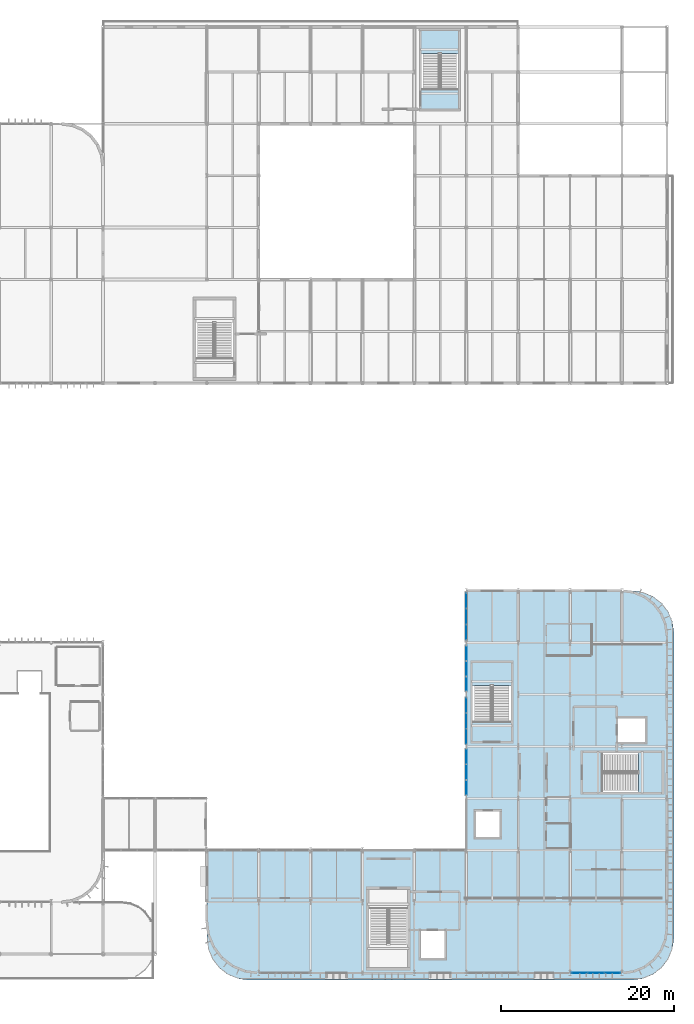
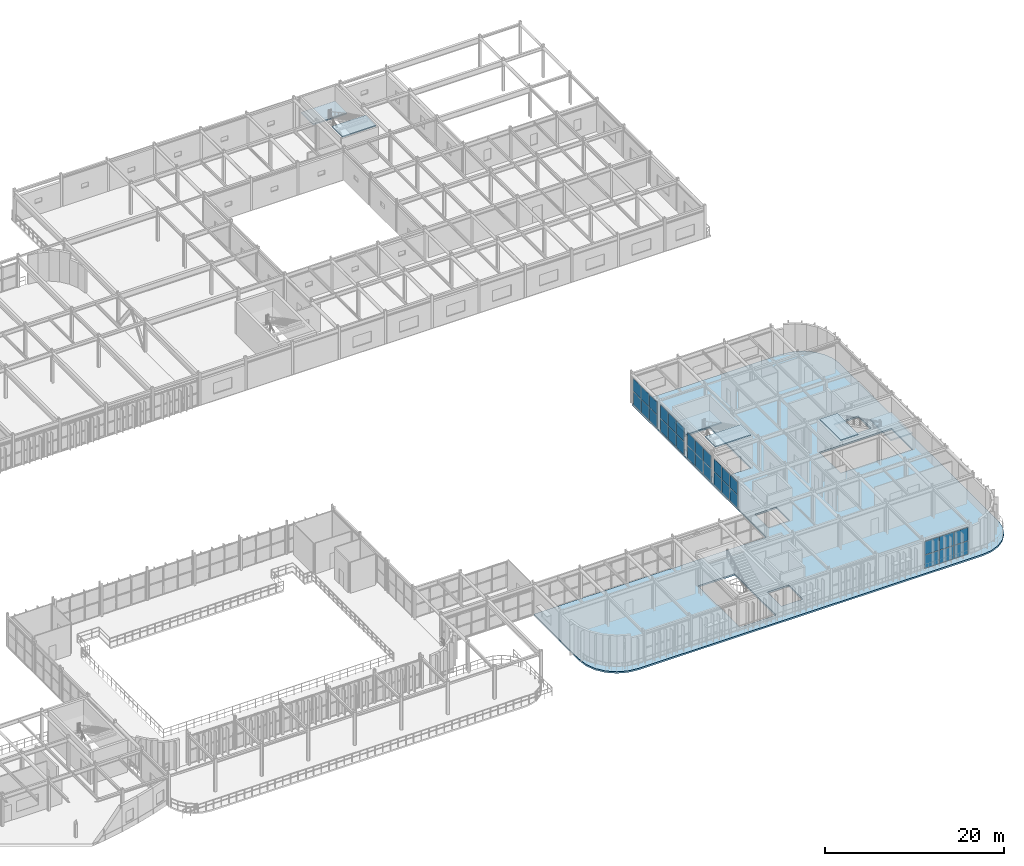
# One storey, part 61 of 96: 30 plates, 7 slabs, 8 elements without a shape of their own.
"""IFC4 building model written with IfcOpenShell, lengths in metres."""

from ifc_helpers import new_model, si_unit, direction, frame, origin, origin_2d, place, context, subcontext, project, spatial, polyline, rectangle, outline, extrude, material, layer, layer_set, type_object, element, aggregate, save


model = new_model("IFC4")

# Units and contexts
model_context = context("Model", 3, precision=1e-05, world=origin(), true_north=direction((0.0, 1.0)))
body_context = subcontext(model_context, "Body", "Model", "MODEL_VIEW")
ifc_project = project(units=[si_unit("LENGTHUNIT", "METRE"), si_unit("AREAUNIT", "SQUARE_METRE"), si_unit("VOLUMEUNIT", "CUBIC_METRE"), si_unit("PLANEANGLEUNIT", "RADIAN"), si_unit("MASSUNIT", "GRAM", prefix="KILO")], contexts=[model_context])

# Site, building, storey
site_placement = place(None, origin())
site = spatial("IfcSite", under=ifc_project, at=site_placement, CompositionType="ELEMENT")
building_placement = place(site_placement, origin())
building = spatial("IfcBuilding", under=site, at=building_placement, Name="Varnakota Square Police Headquarters", CompositionType="ELEMENT")
storey_placement = place(building_placement, frame((0.0, 0.0, 4.800048828125)))
storey = spatial("IfcBuildingStorey", under=building, at=storey_placement, Name="L01", CompositionType="ELEMENT", Elevation=4.800048828125)

# Curtain wall, plates
ifc_material_1 = material(Name="Anodised Aluminium Framing", Category="aluminium")
curtain_wall_type_1 = type_object("IfcCurtainWallType", Name="CW-SYS-E", PredefinedType="NOTDEFINED", material=ifc_material_1)
curtain_wall_1_placement = place(storey_placement, origin())
curtain_wall_1 = element("IfcCurtainWall", 1, at=curtain_wall_1_placement, inside=storey, type_object=curtain_wall_type_1, Name="Unitised curtain wall CWG-L01-063", PredefinedType="NOTDEFINED")
ifc_material_2 = material(Name="Solar-Control Laminated Double Glazing", Category="glass")
ifc_layer_1 = layer(ifc_material_2, 0.028076171875, Name="Solar-Control Laminated Double Glazing")
ifc_layer_set_1 = layer_set([ifc_layer_1], Name="Solar-Control Laminated Double Glazing")
plate_type_1 = type_object("IfcPlateType", Name="CWP-GLZ-28", PredefinedType="CURTAIN_PANEL", material=ifc_layer_set_1)
plate_1_placement = place(storey_placement, frame((138.0, 28.156982421875, 0.06494140625), z_axis=(0.0, 0.0, 1.0), x_axis=(0.0, 1.0, 0.0)))
plate_1 = element("IfcPlate", 2, at=plate_1_placement, type_object=plate_type_1, Name="CWG-L01-063 panel 1.1", PredefinedType="CURTAIN_PANEL", context=body_context, shape_type="SweptSolid", body=[
    extrude(rectangle(XDim=1.72412109375, YDim=0.028076171875, at=origin_2d()), origin(), (0.0, 0.0, 1.0), 1.74755859375),
])
plate_2_placement = place(storey_placement, frame((138.0, 29.96240234375, 0.06494140625), z_axis=(0.0, 0.0, 1.0), x_axis=(0.0, 1.0, 0.0)))
plate_2 = element("IfcPlate", 3, at=plate_2_placement, type_object=plate_type_1, Name="CWG-L01-063 panel 2.1", PredefinedType="CURTAIN_PANEL", context=body_context, shape_type="SweptSolid", body=[
    extrude(rectangle(XDim=1.756591796875, YDim=0.028076171875, at=origin_2d()), origin(), (0.0, 0.0, 1.0), 1.74755859375),
])
plate_3_placement = place(storey_placement, frame((138.0, 31.767822265625, 0.06494140625), z_axis=(0.0, 0.0, 1.0), x_axis=(0.0, 1.0, 0.0)))
plate_3 = element("IfcPlate", 4, at=plate_3_placement, type_object=plate_type_1, Name="CWG-L01-063 panel 3.1", PredefinedType="CURTAIN_PANEL", context=body_context, shape_type="SweptSolid", body=[
    extrude(rectangle(XDim=1.72412109375, YDim=0.028076171875, at=origin_2d()), origin(), (0.0, 0.0, 1.0), 1.74755859375),
])

curtain_wall_2_placement = place(storey_placement, origin())
curtain_wall_2 = element("IfcCurtainWall", 5, at=curtain_wall_2_placement, inside=storey, type_object=curtain_wall_type_1, Name="Unitised curtain wall CWG-L01-064", PredefinedType="NOTDEFINED")
ifc_material_3 = material(Name="Acoustic Laminated Double Glazing", Category="glass")
ifc_layer_2 = layer(ifc_material_3, 0.031982421875, Name="Acoustic Laminated Double Glazing")
ifc_layer_set_2 = layer_set([ifc_layer_2], Name="Acoustic Laminated Double Glazing")
plate_type_2 = type_object("IfcPlateType", Name="CWP-GLZ-32", PredefinedType="CURTAIN_PANEL", material=ifc_layer_set_2)
plate_4_placement = place(storey_placement, frame((138.0, 34.219482421875, 0.06494140625), z_axis=(0.0, 0.0, 1.0), x_axis=(0.0, 1.0, 0.0)))
plate_4 = element("IfcPlate", 6, at=plate_4_placement, type_object=plate_type_2, Name="CWG-L01-064 panel 1.1", PredefinedType="CURTAIN_PANEL", context=body_context, shape_type="SweptSolid", body=[
    extrude(rectangle(XDim=1.69921875, YDim=0.031982421875, at=origin_2d()), origin(), (0.0, 0.0, 1.0), 1.794189453125),
])
plate_5_placement = place(storey_placement, frame((138.0, 36.0, 0.06494140625), z_axis=(0.0, 0.0, 1.0), x_axis=(0.0, 1.0, 0.0)))
plate_5 = element("IfcPlate", 7, at=plate_5_placement, type_object=plate_type_2, Name="CWG-L01-064 panel 2.1", PredefinedType="CURTAIN_PANEL", context=body_context, shape_type="SweptSolid", body=[
    extrude(rectangle(XDim=1.731689453125, YDim=0.031982421875, at=origin_2d()), origin(), (0.0, 0.0, 1.0), 1.794189453125),
])
plate_6_placement = place(storey_placement, frame((138.0, 37.780517578125, 0.06494140625), z_axis=(0.0, 0.0, 1.0), x_axis=(0.0, 1.0, 0.0)))
plate_6 = element("IfcPlate", 8, at=plate_6_placement, type_object=plate_type_2, Name="CWG-L01-064 panel 3.1", PredefinedType="CURTAIN_PANEL", context=body_context, shape_type="SweptSolid", body=[
    extrude(rectangle(XDim=1.69921875, YDim=0.031982421875, at=origin_2d()), origin(), (0.0, 0.0, 1.0), 1.794189453125),
])

curtain_wall_type_2 = type_object("IfcCurtainWallType", Name="CW-SYS-B", PredefinedType="NOTDEFINED", material=ifc_material_1)
curtain_wall_3_placement = place(storey_placement, origin())
curtain_wall_3 = element("IfcCurtainWall", 9, at=curtain_wall_3_placement, inside=storey, type_object=curtain_wall_type_2, Name="Unitised curtain wall CWG-L01-057", PredefinedType="NOTDEFINED")
ifc_material_4 = material(Name="Blast-Resistant Laminated Glazing", Category="glass")
ifc_layer_3 = layer(ifc_material_4, 0.035888671875, Name="Blast-Resistant Laminated Glazing")
ifc_layer_set_3 = layer_set([ifc_layer_3], Name="Blast-Resistant Laminated Glazing")
plate_type_3 = type_object("IfcPlateType", Name="CWP-GLZ-36", PredefinedType="CURTAIN_PANEL", material=ifc_layer_set_3)
plate_7_placement = place(storey_placement, frame((151.10302734375, 0.800048828125, 0.06494140625), z_axis=(0.0, 0.0, 1.0), x_axis=(1.0, 0.0, 0.0)))
plate_7 = element("IfcPlate", 10, at=plate_7_placement, type_object=plate_type_3, Name="CWG-L01-057 panel 1.1", PredefinedType="CURTAIN_PANEL", context=body_context, shape_type="SweptSolid", body=[
    extrude(rectangle(XDim=1.81591796875, YDim=0.035888671875, at=origin_2d()), origin(), (0.0, 0.0, 1.0), 1.797607421875),
])
plate_8_placement = place(storey_placement, frame((153.0, 0.800048828125, 0.06494140625), z_axis=(0.0, 0.0, 1.0), x_axis=(1.0, 0.0, 0.0)))
plate_8 = element("IfcPlate", 11, at=plate_8_placement, type_object=plate_type_3, Name="CWG-L01-057 panel 2.1", PredefinedType="CURTAIN_PANEL", context=body_context, shape_type="SweptSolid", body=[
    extrude(rectangle(XDim=1.848388671875, YDim=0.035888671875, at=origin_2d()), origin(), (0.0, 0.0, 1.0), 1.797607421875),
])
plate_9_placement = place(storey_placement, frame((154.89697265625, 0.800048828125, 0.06494140625), z_axis=(0.0, 0.0, 1.0), x_axis=(1.0, 0.0, 0.0)))
plate_9 = element("IfcPlate", 12, at=plate_9_placement, type_object=plate_type_3, Name="CWG-L01-057 panel 3.1", PredefinedType="CURTAIN_PANEL", context=body_context, shape_type="SweptSolid", body=[
    extrude(rectangle(XDim=1.81591796875, YDim=0.035888671875, at=origin_2d()), origin(), (0.0, 0.0, 1.0), 1.797607421875),
])

curtain_wall_4_placement = place(storey_placement, origin())
curtain_wall_4 = element("IfcCurtainWall", 13, at=curtain_wall_4_placement, inside=storey, type_object=curtain_wall_type_1, Name="Unitised curtain wall CWG-L01-065", PredefinedType="NOTDEFINED")
plate_10_placement = place(storey_placement, frame((138.0, 40.232177734375, 0.06494140625), z_axis=(0.0, 0.0, 1.0), x_axis=(0.0, 1.0, 0.0)))
plate_10 = element("IfcPlate", 14, at=plate_10_placement, type_object=plate_type_3, Name="CWG-L01-065 panel 1.1", PredefinedType="CURTAIN_PANEL", context=body_context, shape_type="SweptSolid", body=[
    extrude(rectangle(XDim=1.72412109375, YDim=0.035888671875, at=origin_2d()), origin(), (0.0, 0.0, 1.0), 1.74755859375),
])
plate_11_placement = place(storey_placement, frame((138.0, 42.03759765625, 0.06494140625), z_axis=(0.0, 0.0, 1.0), x_axis=(0.0, 1.0, 0.0)))
plate_11 = element("IfcPlate", 15, at=plate_11_placement, type_object=plate_type_3, Name="CWG-L01-065 panel 2.1", PredefinedType="CURTAIN_PANEL", context=body_context, shape_type="SweptSolid", body=[
    extrude(rectangle(XDim=1.756591796875, YDim=0.035888671875, at=origin_2d()), origin(), (0.0, 0.0, 1.0), 1.74755859375),
])
plate_12_placement = place(storey_placement, frame((138.0, 43.843017578125, 0.06494140625), z_axis=(0.0, 0.0, 1.0), x_axis=(0.0, 1.0, 0.0)))
plate_12 = element("IfcPlate", 16, at=plate_12_placement, type_object=plate_type_3, Name="CWG-L01-065 panel 3.1", PredefinedType="CURTAIN_PANEL", context=body_context, shape_type="SweptSolid", body=[
    extrude(rectangle(XDim=1.72412109375, YDim=0.035888671875, at=origin_2d()), origin(), (0.0, 0.0, 1.0), 1.74755859375),
])

curtain_wall_5_placement = place(storey_placement, origin())
curtain_wall_5 = element("IfcCurtainWall", 17, at=curtain_wall_5_placement, inside=storey, type_object=curtain_wall_type_1, Name="Unitised curtain wall CWG-L01-062", PredefinedType="NOTDEFINED")
ifc_material_5 = material(Name="Triple-Glazed Clean-Lab Vision Unit", Category="aluminium")
ifc_layer_4 = layer(ifc_material_5, 0.0419921875, Name="Triple-Glazed Clean-Lab Vision Unit")
ifc_layer_set_4 = layer_set([ifc_layer_4], Name="Triple-Glazed Clean-Lab Vision Unit")
plate_type_4 = type_object("IfcPlateType", Name="CWP-GLZ-42", PredefinedType="CURTAIN_PANEL", material=ifc_layer_set_4)
plate_13_placement = place(storey_placement, frame((138.0, 22.232177734375, 0.06494140625), z_axis=(0.0, 0.0, 1.0), x_axis=(0.0, 1.0, 0.0)))
plate_13 = element("IfcPlate", 18, at=plate_13_placement, type_object=plate_type_4, Name="CWG-L01-062 panel 1.1", PredefinedType="CURTAIN_PANEL", context=body_context, shape_type="SweptSolid", body=[
    extrude(rectangle(XDim=1.72412109375, YDim=0.0419921875, at=origin_2d()), origin(), (0.0, 0.0, 1.0), 1.74755859375),
])
plate_14_placement = place(storey_placement, frame((138.0, 24.03759765625, 0.06494140625), z_axis=(0.0, 0.0, 1.0), x_axis=(0.0, 1.0, 0.0)))
plate_14 = element("IfcPlate", 19, at=plate_14_placement, type_object=plate_type_4, Name="CWG-L01-062 panel 2.1", PredefinedType="CURTAIN_PANEL", context=body_context, shape_type="SweptSolid", body=[
    extrude(rectangle(XDim=1.756591796875, YDim=0.0419921875, at=origin_2d()), origin(), (0.0, 0.0, 1.0), 1.74755859375),
])
plate_15_placement = place(storey_placement, frame((138.0, 25.843017578125, 0.06494140625), z_axis=(0.0, 0.0, 1.0), x_axis=(0.0, 1.0, 0.0)))
plate_15 = element("IfcPlate", 20, at=plate_15_placement, type_object=plate_type_4, Name="CWG-L01-062 panel 3.1", PredefinedType="CURTAIN_PANEL", context=body_context, shape_type="SweptSolid", body=[
    extrude(rectangle(XDim=1.72412109375, YDim=0.0419921875, at=origin_2d()), origin(), (0.0, 0.0, 1.0), 1.74755859375),
])

# Plate
ifc_material_6 = material(Name="Insulated Anodised Aluminium Spandrel Panel", Category="aluminium")
ifc_layer_5 = layer(ifc_material_6, 0.050048828125, Name="Insulated Anodised Aluminium Spandrel Panel")
ifc_layer_set_5 = layer_set([ifc_layer_5], Name="Insulated Anodised Aluminium Spandrel Panel")
plate_type_5 = type_object("IfcPlateType", Name="CWP-SPN-50", PredefinedType="CURTAIN_PANEL", material=ifc_layer_set_5)
plate_16_placement = place(storey_placement, frame((151.10302734375, 0.800048828125, 1.92724609375), z_axis=(0.0, 0.0, 1.0), x_axis=(1.0, 0.0, 0.0)))
plate_16 = element("IfcPlate", 21, at=plate_16_placement, type_object=plate_type_5, Name="CWG-L01-057 panel 1.2", PredefinedType="CURTAIN_PANEL", context=body_context, shape_type="SweptSolid", body=[
    extrude(rectangle(XDim=1.81591796875, YDim=0.050048828125, at=origin_2d()), origin(), (0.0, 0.0, 1.0), 1.797607421875),
])

plate_17_placement = place(storey_placement, frame((153.0, 0.800048828125, 1.92724609375), z_axis=(0.0, 0.0, 1.0), x_axis=(1.0, 0.0, 0.0)))
plate_17 = element("IfcPlate", 22, at=plate_17_placement, type_object=plate_type_5, Name="CWG-L01-057 panel 2.2", PredefinedType="CURTAIN_PANEL", context=body_context, shape_type="SweptSolid", body=[
    extrude(rectangle(XDim=1.848388671875, YDim=0.050048828125, at=origin_2d()), origin(), (0.0, 0.0, 1.0), 1.797607421875),
])

plate_18_placement = place(storey_placement, frame((154.89697265625, 0.800048828125, 1.92724609375), z_axis=(0.0, 0.0, 1.0), x_axis=(1.0, 0.0, 0.0)))
plate_18 = element("IfcPlate", 23, at=plate_18_placement, type_object=plate_type_5, Name="CWG-L01-057 panel 3.2", PredefinedType="CURTAIN_PANEL", context=body_context, shape_type="SweptSolid", body=[
    extrude(rectangle(XDim=1.81591796875, YDim=0.050048828125, at=origin_2d()), origin(), (0.0, 0.0, 1.0), 1.797607421875),
])

aggregate(curtain_wall_3, [plate_7, plate_16, plate_8, plate_17, plate_9, plate_18])

plate_19_placement = place(storey_placement, frame((138.0, 28.156982421875, 1.87744140625), z_axis=(0.0, 0.0, 1.0), x_axis=(0.0, 1.0, 0.0)))
plate_19 = element("IfcPlate", 24, at=plate_19_placement, type_object=plate_type_5, Name="CWG-L01-063 panel 1.2", PredefinedType="CURTAIN_PANEL", context=body_context, shape_type="SweptSolid", body=[
    extrude(rectangle(XDim=1.72412109375, YDim=0.050048828125, at=origin_2d()), origin(), (0.0, 0.0, 1.0), 1.74755859375),
])

plate_20_placement = place(storey_placement, frame((138.0, 29.96240234375, 1.87744140625), z_axis=(0.0, 0.0, 1.0), x_axis=(0.0, 1.0, 0.0)))
plate_20 = element("IfcPlate", 25, at=plate_20_placement, type_object=plate_type_5, Name="CWG-L01-063 panel 2.2", PredefinedType="CURTAIN_PANEL", context=body_context, shape_type="SweptSolid", body=[
    extrude(rectangle(XDim=1.756591796875, YDim=0.050048828125, at=origin_2d()), origin(), (0.0, 0.0, 1.0), 1.74755859375),
])

plate_21_placement = place(storey_placement, frame((138.0, 31.767822265625, 1.87744140625), z_axis=(0.0, 0.0, 1.0), x_axis=(0.0, 1.0, 0.0)))
plate_21 = element("IfcPlate", 26, at=plate_21_placement, type_object=plate_type_5, Name="CWG-L01-063 panel 3.2", PredefinedType="CURTAIN_PANEL", context=body_context, shape_type="SweptSolid", body=[
    extrude(rectangle(XDim=1.72412109375, YDim=0.050048828125, at=origin_2d()), origin(), (0.0, 0.0, 1.0), 1.74755859375),
])

aggregate(curtain_wall_1, [plate_1, plate_19, plate_2, plate_20, plate_3, plate_21])

plate_22_placement = place(storey_placement, frame((138.0, 40.232177734375, 1.87744140625), z_axis=(0.0, 0.0, 1.0), x_axis=(0.0, 1.0, 0.0)))
plate_22 = element("IfcPlate", 27, at=plate_22_placement, type_object=plate_type_5, Name="CWG-L01-065 panel 1.2", PredefinedType="CURTAIN_PANEL", context=body_context, shape_type="SweptSolid", body=[
    extrude(rectangle(XDim=1.72412109375, YDim=0.050048828125, at=origin_2d()), origin(), (0.0, 0.0, 1.0), 1.74755859375),
])

plate_23_placement = place(storey_placement, frame((138.0, 42.03759765625, 1.87744140625), z_axis=(0.0, 0.0, 1.0), x_axis=(0.0, 1.0, 0.0)))
plate_23 = element("IfcPlate", 28, at=plate_23_placement, type_object=plate_type_5, Name="CWG-L01-065 panel 2.2", PredefinedType="CURTAIN_PANEL", context=body_context, shape_type="SweptSolid", body=[
    extrude(rectangle(XDim=1.756591796875, YDim=0.050048828125, at=origin_2d()), origin(), (0.0, 0.0, 1.0), 1.74755859375),
])

plate_24_placement = place(storey_placement, frame((138.0, 43.843017578125, 1.87744140625), z_axis=(0.0, 0.0, 1.0), x_axis=(0.0, 1.0, 0.0)))
plate_24 = element("IfcPlate", 29, at=plate_24_placement, type_object=plate_type_5, Name="CWG-L01-065 panel 3.2", PredefinedType="CURTAIN_PANEL", context=body_context, shape_type="SweptSolid", body=[
    extrude(rectangle(XDim=1.72412109375, YDim=0.050048828125, at=origin_2d()), origin(), (0.0, 0.0, 1.0), 1.74755859375),
])

aggregate(curtain_wall_4, [plate_10, plate_22, plate_11, plate_23, plate_12, plate_24])

ifc_material_7 = material(Name="Fire-Stopped Mineral-Wool Spandrel Panel", Category="aluminium")
ifc_layer_6 = layer(ifc_material_7, 0.06005859375, Name="Fire-Stopped Mineral-Wool Spandrel Panel")
ifc_layer_set_6 = layer_set([ifc_layer_6], Name="Fire-Stopped Mineral-Wool Spandrel Panel")
plate_type_6 = type_object("IfcPlateType", Name="CWP-SPN-60", PredefinedType="CURTAIN_PANEL", material=ifc_layer_set_6)
plate_25_placement = place(storey_placement, frame((138.0, 22.232177734375, 1.87744140625), z_axis=(0.0, 0.0, 1.0), x_axis=(0.0, 1.0, 0.0)))
plate_25 = element("IfcPlate", 30, at=plate_25_placement, type_object=plate_type_6, Name="CWG-L01-062 panel 1.2", PredefinedType="CURTAIN_PANEL", context=body_context, shape_type="SweptSolid", body=[
    extrude(rectangle(XDim=1.72412109375, YDim=0.06005859375, at=origin_2d()), origin(), (0.0, 0.0, 1.0), 1.74755859375),
])

plate_26_placement = place(storey_placement, frame((138.0, 24.03759765625, 1.87744140625), z_axis=(0.0, 0.0, 1.0), x_axis=(0.0, 1.0, 0.0)))
plate_26 = element("IfcPlate", 31, at=plate_26_placement, type_object=plate_type_6, Name="CWG-L01-062 panel 2.2", PredefinedType="CURTAIN_PANEL", context=body_context, shape_type="SweptSolid", body=[
    extrude(rectangle(XDim=1.756591796875, YDim=0.06005859375, at=origin_2d()), origin(), (0.0, 0.0, 1.0), 1.74755859375),
])

plate_27_placement = place(storey_placement, frame((138.0, 25.843017578125, 1.87744140625), z_axis=(0.0, 0.0, 1.0), x_axis=(0.0, 1.0, 0.0)))
plate_27 = element("IfcPlate", 32, at=plate_27_placement, type_object=plate_type_6, Name="CWG-L01-062 panel 3.2", PredefinedType="CURTAIN_PANEL", context=body_context, shape_type="SweptSolid", body=[
    extrude(rectangle(XDim=1.72412109375, YDim=0.06005859375, at=origin_2d()), origin(), (0.0, 0.0, 1.0), 1.74755859375),
])

aggregate(curtain_wall_5, [plate_13, plate_25, plate_14, plate_26, plate_15, plate_27])

plate_28_placement = place(storey_placement, frame((138.0, 34.219482421875, 1.92431640625), z_axis=(0.0, 0.0, 1.0), x_axis=(0.0, 1.0, 0.0)))
plate_28 = element("IfcPlate", 33, at=plate_28_placement, type_object=plate_type_6, Name="CWG-L01-064 panel 1.2", PredefinedType="CURTAIN_PANEL", context=body_context, shape_type="SweptSolid", body=[
    extrude(rectangle(XDim=1.69921875, YDim=0.06005859375, at=origin_2d()), origin(), (0.0, 0.0, 1.0), 1.794189453125),
])

plate_29_placement = place(storey_placement, frame((138.0, 36.0, 1.92431640625), z_axis=(0.0, 0.0, 1.0), x_axis=(0.0, 1.0, 0.0)))
plate_29 = element("IfcPlate", 34, at=plate_29_placement, type_object=plate_type_6, Name="CWG-L01-064 panel 2.2", PredefinedType="CURTAIN_PANEL", context=body_context, shape_type="SweptSolid", body=[
    extrude(rectangle(XDim=1.731689453125, YDim=0.06005859375, at=origin_2d()), origin(), (0.0, 0.0, 1.0), 1.794189453125),
])

plate_30_placement = place(storey_placement, frame((138.0, 37.780517578125, 1.92431640625), z_axis=(0.0, 0.0, 1.0), x_axis=(0.0, 1.0, 0.0)))
plate_30 = element("IfcPlate", 35, at=plate_30_placement, type_object=plate_type_6, Name="CWG-L01-064 panel 3.2", PredefinedType="CURTAIN_PANEL", context=body_context, shape_type="SweptSolid", body=[
    extrude(rectangle(XDim=1.69921875, YDim=0.06005859375, at=origin_2d()), origin(), (0.0, 0.0, 1.0), 1.794189453125),
])

aggregate(curtain_wall_2, [plate_4, plate_28, plate_5, plate_29, plate_6, plate_30])

# Slab
ifc_material_8 = material(Name="Concrete M40", Category="concrete")
ifc_layer_7 = layer(ifc_material_8, 0.219970703125, Name="Concrete M40")
ifc_layer_set_7 = layer_set([ifc_layer_7], Name="Concrete M40")
slab_type_1 = type_object("IfcSlabType", Name="SL-COMP-220", PredefinedType="FLOOR", material=ifc_layer_set_7)
slab_1_placement = place(storey_placement, frame((0.0, 0.0, -0.219970703125)))
element("IfcSlab", 36, at=slab_1_placement, inside=storey, type_object=slab_type_1, Name="L01 Operations Corner Slab", PredefinedType="FLOOR", context=body_context, shape_type="SweptSolid", body=[
    extrude(outline(polyline([(108.0, 4.800048828125), (108.16357421875, 3.5576171875), (108.64306640625, 2.39990234375), (109.406005859375, 1.406005859375), (110.39990234375, 0.64306640625), (111.5576171875, 0.16357421875), (112.800048828125, 0.0), (157.199951171875, 0.0), (158.4423828125, 0.16357421875), (159.60009765625, 0.64306640625), (160.593994140625, 1.406005859375), (161.35693359375, 2.39990234375), (161.83642578125, 3.5576171875), (162.0, 4.800048828125), (162.0, 40.199951171875), (161.83642578125, 41.4423828125), (161.35693359375, 42.60009765625), (160.593994140625, 43.593994140625), (159.60009765625, 44.35693359375), (158.4423828125, 44.83642578125), (157.199951171875, 45.0), (138.0, 45.0), (138.0, 15.0), (108.0, 15.0), (108.0, 4.800048828125)]), holes=[polyline([(126.655029296875, 1.304931640625), (131.344970703125, 1.304931640625), (131.344970703125, 10.594970703125), (126.655029296875, 10.594970703125), (126.655029296875, 1.304931640625)]), polyline([(132.715087890625, 2.514892578125), (135.485107421875, 2.514892578125), (135.485107421875, 5.68505859375), (132.715087890625, 5.68505859375), (132.715087890625, 2.514892578125)]), polyline([(151.405029296875, 21.655029296875), (160.695068359375, 21.655029296875), (160.695068359375, 26.344970703125), (151.405029296875, 26.344970703125), (151.405029296875, 21.655029296875)]), polyline([(155.514892578125, 27.514892578125), (158.68505859375, 27.514892578125), (158.68505859375, 30.284912109375), (155.514892578125, 30.284912109375), (155.514892578125, 27.514892578125)]), polyline([(138.655029296875, 27.554931640625), (143.2451171875, 27.554931640625), (143.2451171875, 36.7451171875), (138.655029296875, 36.7451171875), (138.655029296875, 27.554931640625)]), polyline([(139.114990234375, 16.514892578125), (141.885009765625, 16.514892578125), (141.885009765625, 19.485107421875), (139.114990234375, 19.485107421875), (139.114990234375, 16.514892578125)])]), origin(), (0.0, 0.0, 1.0), 0.219970703125),
])

# Stair, slabs
stair_type_1 = type_object("IfcStairType", Name="STR-DOG-1850", PredefinedType="USERDEFINED", material=ifc_material_8)
stair_1_placement = place(storey_placement, origin())
stair_1 = element("IfcStair", 37, at=stair_1_placement, inside=storey, type_object=stair_type_1, Name="Protected exit stair ST8 (L01)", ObjectType="TWO_RETURN_STAIR", PredefinedType="USERDEFINED")
ifc_layer_8 = layer(ifc_material_8, 0.157958984375, Name="Concrete M40")
ifc_layer_set_8 = layer_set([ifc_layer_8], Name="Concrete M40")
slab_type_2 = type_object("IfcSlabType", Name="SLB-LND-1850", PredefinedType="LANDING", material=ifc_layer_set_8)
slab_2_placement = place(storey_placement, frame((0.0, 0.0, 2.092041015625)))
slab_2 = element("IfcSlab", 38, at=slab_2_placement, type_object=slab_type_2, Name="ST8-L01 landing 1", PredefinedType="LANDING", context=body_context, shape_type="SweptSolid", body=[
    extrude(outline(polyline([(132.760009765625, 107.150634765625), (137.139892578125, 107.150634765625), (137.139892578125, 109.840087890625), (132.760009765625, 109.840087890625), (132.760009765625, 107.150634765625)])), origin(), (0.0, 0.0, 1.0), 0.157958984375),
])
slab_3_placement = place(storey_placement, frame((0.0, 0.0, 4.342041015625)))
slab_3 = element("IfcSlab", 39, at=slab_3_placement, type_object=slab_type_2, Name="ST8-L01 landing 2", PredefinedType="LANDING", context=body_context, shape_type="SweptSolid", body=[
    extrude(outline(polyline([(132.760009765625, 100.659912109375), (137.139892578125, 100.659912109375), (137.139892578125, 102.949951171875), (132.760009765625, 102.949951171875), (132.760009765625, 100.659912109375)])), origin(), (0.0, 0.0, 1.0), 0.157958984375),
])
aggregate(stair_1, [slab_2, slab_3])

stair_type_2 = type_object("IfcStairType", Name="STR-DOG-1900", PredefinedType="USERDEFINED", material=ifc_material_8)
stair_2_placement = place(storey_placement, origin())
stair_2 = element("IfcStair", 40, at=stair_2_placement, inside=storey, type_object=stair_type_2, Name="Protected exit stair ST3 (L01)", ObjectType="TWO_RETURN_STAIR", PredefinedType="USERDEFINED")
ifc_layer_9 = layer(ifc_material_8, 0.162109375, Name="Concrete M40")
ifc_layer_set_9 = layer_set([ifc_layer_9], Name="Concrete M40")
slab_type_3 = type_object("IfcSlabType", Name="SLB-LND-1900", PredefinedType="LANDING", material=ifc_layer_set_9)
slab_4_placement = place(storey_placement, frame((0.0, 0.0, 2.087890625)))
slab_4 = element("IfcSlab", 41, at=slab_4_placement, type_object=slab_type_3, Name="ST3-L01 landing 1", PredefinedType="LANDING", context=body_context, shape_type="SweptSolid", body=[
    extrude(outline(polyline([(138.659912109375, 34.05078125), (143.239990234375, 34.05078125), (143.239990234375, 36.739990234375), (138.659912109375, 36.739990234375), (138.659912109375, 34.05078125)])), origin(), (0.0, 0.0, 1.0), 0.162109375),
])
slab_5_placement = place(storey_placement, frame((0.0, 0.0, 4.337890625)))
slab_5 = element("IfcSlab", 42, at=slab_5_placement, type_object=slab_type_3, Name="ST3-L01 landing 2", PredefinedType="LANDING", context=body_context, shape_type="SweptSolid", body=[
    extrude(outline(polyline([(138.659912109375, 27.56005859375), (143.239990234375, 27.56005859375), (143.239990234375, 29.85009765625), (138.659912109375, 29.85009765625), (138.659912109375, 27.56005859375)])), origin(), (0.0, 0.0, 1.0), 0.162109375),
])
aggregate(stair_2, [slab_4, slab_5])

stair_type_3 = type_object("IfcStairType", Name="STR-DOG-2000", PredefinedType="USERDEFINED", material=ifc_material_8)
stair_3_placement = place(storey_placement, origin())
stair_3 = element("IfcStair", 43, at=stair_3_placement, inside=storey, type_object=stair_type_3, Name="Protected exit stair ST2 (L01)", ObjectType="TWO_RETURN_STAIR", PredefinedType="USERDEFINED")
ifc_layer_10 = layer(ifc_material_8, 0.166015625, Name="Concrete M40")
ifc_layer_set_10 = layer_set([ifc_layer_10], Name="Concrete M40")
slab_type_4 = type_object("IfcSlabType", Name="SLB-LND-2000", PredefinedType="LANDING", material=ifc_layer_set_10)
slab_6_placement = place(storey_placement, frame((0.0, 0.0, 2.083984375)))
slab_6 = element("IfcSlab", 44, at=slab_6_placement, type_object=slab_type_4, Name="ST2-L01 landing 1", PredefinedType="LANDING", context=body_context, shape_type="SweptSolid", body=[
    extrude(outline(polyline([(157.900634765625, 21.659912109375), (160.68994140625, 21.659912109375), (160.68994140625, 26.340087890625), (157.900634765625, 26.340087890625), (157.900634765625, 21.659912109375)])), origin(), (0.0, 0.0, 1.0), 0.166015625),
])
slab_7_placement = place(storey_placement, frame((0.0, 0.0, 4.333984375)))
slab_7 = element("IfcSlab", 45, at=slab_7_placement, type_object=slab_type_4, Name="ST2-L01 landing 2", PredefinedType="LANDING", context=body_context, shape_type="SweptSolid", body=[
    extrude(outline(polyline([(151.409912109375, 21.659912109375), (153.699951171875, 21.659912109375), (153.699951171875, 26.340087890625), (151.409912109375, 26.340087890625), (151.409912109375, 21.659912109375)])), origin(), (0.0, 0.0, 1.0), 0.166015625),
])
aggregate(stair_3, [slab_6, slab_7])

save(model, "model.ifc")
